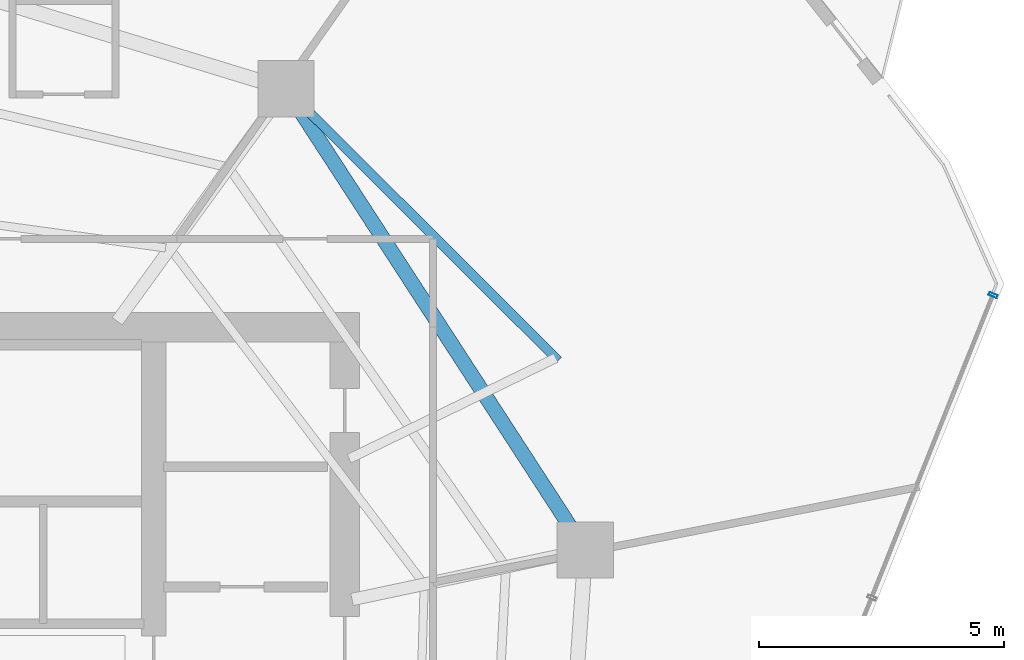
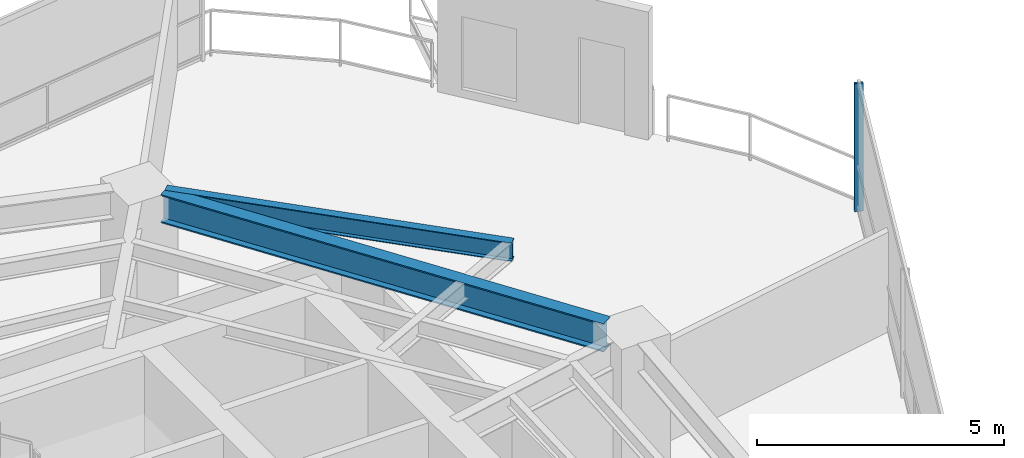
# One storey, part 21 of 29: 2 beams, 1 member, 1 element without a shape of its own.
"""IFC4 building model written with IfcOpenShell, lengths in metres."""

from ifc_helpers import new_model, si_unit, direction, frame, origin, origin_2d, place, context, subcontext, project, spatial, hollow_rectangle, i_section, extrude, material, layer, layer_set, material_profile, profile_set, type_object, element, aggregate, save


model = new_model("IFC4")

# Units and contexts
model_context = context("Model", 3, precision=1e-05, world=origin(), true_north=direction((0.0, 1.0)))
body_context = subcontext(model_context, "Body", "Model", "MODEL_VIEW")
ifc_project = project(units=[si_unit("LENGTHUNIT", "METRE"), si_unit("AREAUNIT", "SQUARE_METRE"), si_unit("VOLUMEUNIT", "CUBIC_METRE"), si_unit("PLANEANGLEUNIT", "RADIAN"), si_unit("MASSUNIT", "GRAM", prefix="KILO")], contexts=[model_context])

# Site, building, storey
site_placement = place(None, origin())
site = spatial("IfcSite", under=ifc_project, at=site_placement, CompositionType="ELEMENT")
building_placement = place(site_placement, origin())
building = spatial("IfcBuilding", under=site, at=building_placement, Name="Qarnah Convention Tower", CompositionType="ELEMENT")
storey_placement = place(building_placement, frame((0.0, 0.0, 97.050048828125)))
storey = spatial("IfcBuildingStorey", under=building, at=storey_placement, Name="L25", CompositionType="ELEMENT", Elevation=97.050048828125)

# Beams
ifc_material_1 = material(Name="Structural steel S355JR", Category="steel")
ifc_material_profile_1 = material_profile(ifc_material_1, i_section(OverallWidth=0.19189453125, OverallDepth=0.464111328125, WebThickness=0.010986328125, FlangeThickness=0.01806640625, at=origin_2d()), Name="W460X89")
ifc_profile_set_1 = profile_set([ifc_material_profile_1], Name="Structural steel S355JR")
beam_type_1 = type_object("IfcBeamType", Name="BM-CANT-W460A", PredefinedType="BEAM", material=ifc_profile_set_1)
beam_1_placement = place(storey_placement, frame((51.952880859375, 33.52099609375, 2.93798828125), z_axis=(-0.707978220507, 0.706234266577, 0.0), x_axis=(-0.706234266577, -0.707978220507, 0.0)))
element("IfcBeam", 1, at=beam_1_placement, inside=storey, type_object=beam_type_1, Name="L25 spandrel BM-L25-CTIE-01", PredefinedType="SPANDREL", context=body_context, shape_type="SweptSolid", body=[
    extrude(i_section(OverallWidth=0.19189453125, OverallDepth=0.464111328125, WebThickness=0.010986328125, FlangeThickness=0.01806640625, at=origin_2d()), origin(), (0.0, 0.0, 1.0), 7.279541015625),
])
ifc_material_profile_2 = material_profile(ifc_material_1, i_section(OverallWidth=0.300048828125, OverallDepth=0.699951171875, WebThickness=0.01708984375, FlangeThickness=0.031982421875, at=origin_2d()), Name="HEB700")
ifc_profile_set_2 = profile_set([ifc_material_profile_2], Name="Structural steel S355JR")
beam_type_2 = type_object("IfcBeamType", Name="BM-RING-HEB700", PredefinedType="BEAM", material=ifc_profile_set_2)
beam_2_placement = place(storey_placement, frame((52.199951171875, 30.1279296875, 2.820068359375), z_axis=(-0.544610528714, 0.838689079465, 0.0), x_axis=(-0.838689079465, -0.544610528714, 0.0)))
element("IfcBeam", 2, at=beam_2_placement, inside=storey, type_object=beam_type_2, Name="L25 beam BM-L25-SPN-01", PredefinedType="BEAM", context=body_context, shape_type="SweptSolid", body=[
    extrude(i_section(OverallWidth=0.300048828125, OverallDepth=0.699951171875, WebThickness=0.01708984375, FlangeThickness=0.031982421875, at=origin_2d()), origin(), (0.0, 0.0, 1.0), 10.0859375),
])

# Curtain wall, member
ifc_material_2 = material(Name="Tempered Low-E dark glass", Category="glass")
ifc_layer = layer(ifc_material_2, 0.169921875)
ifc_layer_set = layer_set([ifc_layer], Name="Tempered Low-E dark glass")
curtain_wall_type = type_object("IfcCurtainWallType", Name="CWS-02", PredefinedType="NOTDEFINED", material=ifc_layer_set)
curtain_wall_placement = place(storey_placement, origin())
curtain_wall = element("IfcCurtainWall", 3, at=curtain_wall_placement, inside=storey, type_object=curtain_wall_type, Name="L25 unitised curtain wall CW-L25-F2", PredefinedType="NOTDEFINED")
ifc_material_3 = material(Name="Black anodised aluminium", Category="aluminium")
ifc_material_profile_3 = material_profile(ifc_material_3, hollow_rectangle(XDim=0.06494140625, YDim=0.179931640625, WallThickness=0.00390625, at=origin_2d()), Name="MUL-65X180")
ifc_profile_set_3 = profile_set([ifc_material_profile_3], Name="Black anodised aluminium")
member_type = type_object("IfcMemberType", Name="MUL-T2", PredefinedType="MULLION", material=ifc_profile_set_3)
member_placement = place(storey_placement, frame((60.825927734375, 34.85302734375, 0.0), z_axis=(0.0, 0.0, 1.0), x_axis=(-0.37202844102, -0.928221330865, 0.0)))
member = element("IfcMember", 4, at=member_placement, type_object=member_type, Name="CW-L25-F2 mullion 1", PredefinedType="MULLION", context=body_context, shape_type="SweptSolid", body=[
    extrude(hollow_rectangle(XDim=0.06494140625, YDim=0.179931640625, WallThickness=0.00390625, at=origin_2d()), origin(), (0.0, 0.0, 1.0), 3.169921875),
])
aggregate(curtain_wall, [member])

save(model, "model.ifc")
